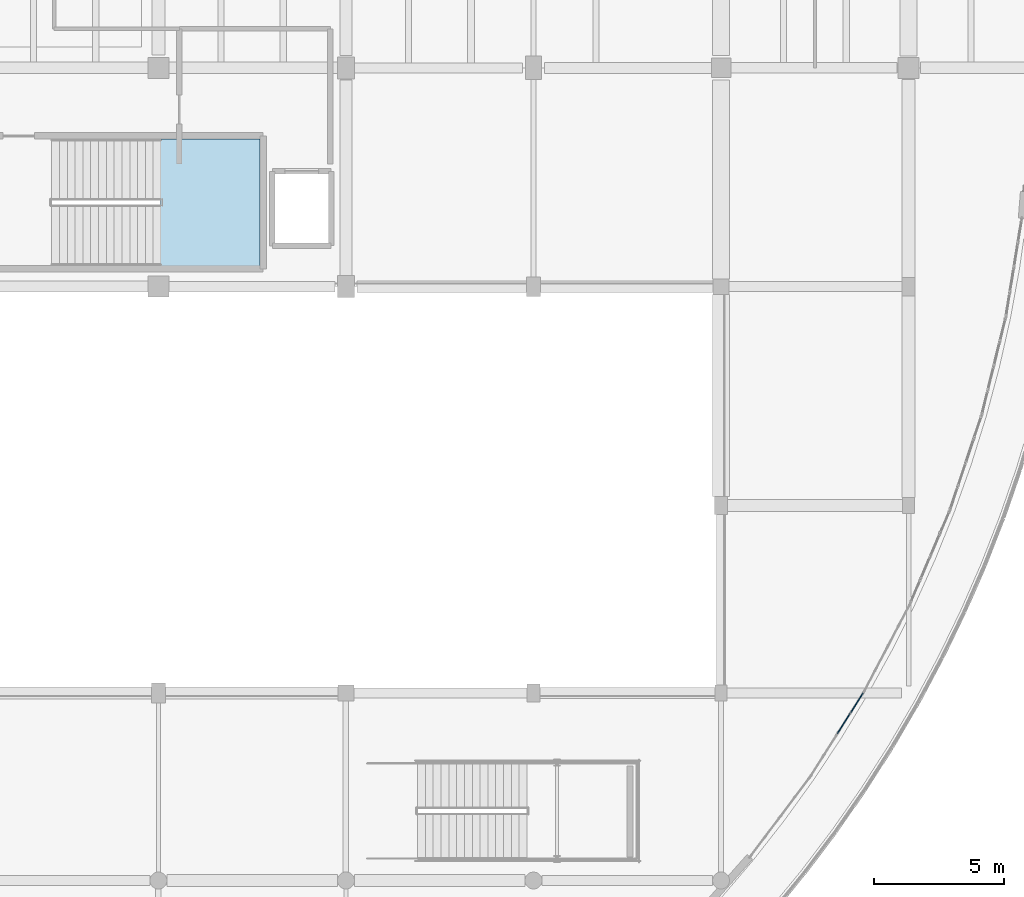
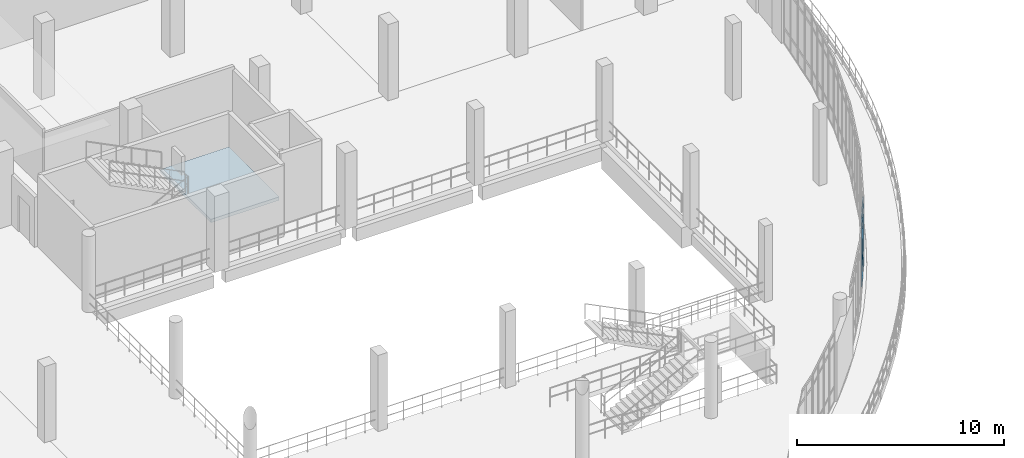
# One storey, part 98 of 124: 6 plates, 1 slab, 2 elements without a shape of their own.
"""IFC4 building model written with IfcOpenShell, lengths in metres."""

from ifc_helpers import new_model, si_unit, direction, frame, origin, origin_2d, place, context, subcontext, project, spatial, polyline, rectangle, outline, extrude, material, layer, layer_set, type_object, element, aggregate, save


model = new_model("IFC4")

# Units and contexts
model_context = context("Model", 3, precision=1e-05, world=origin(), true_north=direction((0.0, 1.0)))
body_context = subcontext(model_context, "Body", "Model", "MODEL_VIEW")
ifc_project = project(units=[si_unit("LENGTHUNIT", "METRE"), si_unit("AREAUNIT", "SQUARE_METRE"), si_unit("VOLUMEUNIT", "CUBIC_METRE"), si_unit("PLANEANGLEUNIT", "RADIAN"), si_unit("MASSUNIT", "GRAM", prefix="KILO")], contexts=[model_context])

# Site, building, storey
site_placement = place(None, origin())
site = spatial("IfcSite", under=ifc_project, at=site_placement, CompositionType="ELEMENT")
building_placement = place(site_placement, origin())
building = spatial("IfcBuilding", under=site, at=building_placement, Name="Kalluvel Institute of Natural Sciences", CompositionType="ELEMENT")
storey_placement = place(building_placement, frame((0.0, 0.0, 9.89990234375)))
storey = spatial("IfcBuildingStorey", under=building, at=storey_placement, Name="L02", CompositionType="ELEMENT", Elevation=9.89990234375)

# Curtain wall, plates
ifc_material_1 = material(Name="Aluminium AW-6063 T6", Category="aluminium")
curtain_wall_type = type_object("IfcCurtainWallType", Name="CW-ATR-ARC", PredefinedType="USERDEFINED", material=ifc_material_1)
curtain_wall_placement = place(storey_placement, origin())
curtain_wall = element("IfcCurtainWall", 1, at=curtain_wall_placement, inside=storey, type_object=curtain_wall_type, Name="L02 Gothic lancet curtain wall CWA-L02-X750-Y756", ObjectType="UNITISED LANCET FACADE", PredefinedType="USERDEFINED")
ifc_material_2 = material(Name="Solar-Control Low-E Laminated Glass", Category="glass")
ifc_layer_1 = layer(ifc_material_2, 0.035888671875)
ifc_layer_set_1 = layer_set([ifc_layer_1], Name="Solar-Control Low-E Laminated Glass")
plate_type = type_object("IfcPlateType", Name="CWP-DGU-36", PredefinedType="CURTAIN_PANEL", material=ifc_layer_set_1)
plate_1_placement = place(storey_placement, frame((76.3095703125, 77.62744140625, 0.06005859375), z_axis=(0.0, 0.0, 1.0), x_axis=(0.534467900259, 0.845188773939, 0.0)))
plate_1 = element("IfcPlate", 2, at=plate_1_placement, type_object=plate_type, Name="CW-05 panel 3.1", PredefinedType="CURTAIN_PANEL", context=body_context, shape_type="SweptSolid", body=[
    extrude(rectangle(XDim=0.904296875, YDim=0.035888671875, at=origin_2d()), origin(), (0.0, 0.0, 1.0), 0.860107421875),
])
plate_2_placement = place(storey_placement, frame((76.3095703125, 77.62744140625, 0.97998046875), z_axis=(0.0, 0.0, 1.0), x_axis=(0.534467900259, 0.845188773939, 0.0)))
plate_2 = element("IfcPlate", 3, at=plate_2_placement, type_object=plate_type, Name="CW-05 panel 3.2", PredefinedType="CURTAIN_PANEL", context=body_context, shape_type="SweptSolid", body=[
    extrude(rectangle(XDim=0.904296875, YDim=0.035888671875, at=origin_2d()), origin(), (0.0, 0.0, 1.0), 2.489990234375),
])
plate_3_placement = place(storey_placement, frame((76.3095703125, 77.62744140625, 3.530029296875), z_axis=(0.0, 0.0, 1.0), x_axis=(0.534467900259, 0.845188773939, 0.0)))
plate_3 = element("IfcPlate", 4, at=plate_3_placement, type_object=plate_type, Name="CW-05 panel 3.3", PredefinedType="CURTAIN_PANEL", context=body_context, shape_type="SweptSolid", body=[
    extrude(rectangle(XDim=0.904296875, YDim=0.035888671875, at=origin_2d()), origin(), (0.0, 0.0, 1.0), 0.56005859375),
])
plate_4_placement = place(storey_placement, frame((76.81689453125, 78.4296875, 0.06005859375), z_axis=(0.0, 0.0, 1.0), x_axis=(0.534467900259, 0.845188773939, 0.0)))
plate_4 = element("IfcPlate", 5, at=plate_4_placement, type_object=plate_type, Name="CW-05 panel 4.1", PredefinedType="CURTAIN_PANEL", context=body_context, shape_type="SweptSolid", body=[
    extrude(rectangle(XDim=0.874267578125, YDim=0.035888671875, at=origin_2d()), origin(), (0.0, 0.0, 1.0), 0.860107421875),
])
plate_5_placement = place(storey_placement, frame((76.81689453125, 78.4296875, 0.97998046875), z_axis=(0.0, 0.0, 1.0), x_axis=(0.534467900259, 0.845188773939, 0.0)))
plate_5 = element("IfcPlate", 6, at=plate_5_placement, type_object=plate_type, Name="CW-05 panel 4.2", PredefinedType="CURTAIN_PANEL", context=body_context, shape_type="SweptSolid", body=[
    extrude(rectangle(XDim=0.874267578125, YDim=0.035888671875, at=origin_2d()), origin(), (0.0, 0.0, 1.0), 2.489990234375),
])
plate_6_placement = place(storey_placement, frame((76.81689453125, 78.4296875, 3.530029296875), z_axis=(0.0, 0.0, 1.0), x_axis=(0.534467900259, 0.845188773939, 0.0)))
plate_6 = element("IfcPlate", 7, at=plate_6_placement, type_object=plate_type, Name="CW-05 panel 4.3", PredefinedType="CURTAIN_PANEL", context=body_context, shape_type="SweptSolid", body=[
    extrude(rectangle(XDim=0.874267578125, YDim=0.035888671875, at=origin_2d()), origin(), (0.0, 0.0, 1.0), 0.56005859375),
])
aggregate(curtain_wall, [plate_1, plate_2, plate_3, plate_4, plate_5, plate_6])

# Stair, slab
ifc_material_3 = material(Name="Concrete M40", Category="concrete")
stair_type = type_object("IfcStairType", Name="STR-ST3-45", PredefinedType="HALF_TURN_STAIR", material=ifc_material_3)
stair_placement = place(storey_placement, origin())
stair = element("IfcStair", 8, at=stair_placement, inside=storey, type_object=stair_type, Name="L02 Central Fire-Tower Protected Stair ST3", PredefinedType="HALF_TURN_STAIR")
ifc_layer_2 = layer(ifc_material_3, 0.199951171875)
ifc_layer_set_2 = layer_set([ifc_layer_2], Name="Concrete M40")
slab_type = type_object("IfcSlabType", Name="SLD-ST3", PredefinedType="LANDING", material=ifc_layer_set_2)
slab_placement = place(storey_placement, frame((0.0, 0.0, 2.050048828125)))
slab = element("IfcSlab", 9, at=slab_placement, type_object=slab_type, Name="S3-45 landing 1", PredefinedType="LANDING", context=body_context, shape_type="SweptSolid", body=[
    extrude(outline(polyline([(50.08203125, 95.199951171875), (53.89990234375, 95.199951171875), (53.89990234375, 100.070068359375), (50.08203125, 100.070068359375), (50.08203125, 95.199951171875)])), origin(), (0.0, 0.0, 1.0), 0.199951171875),
])
aggregate(stair, [slab])

save(model, "model.ifc")
